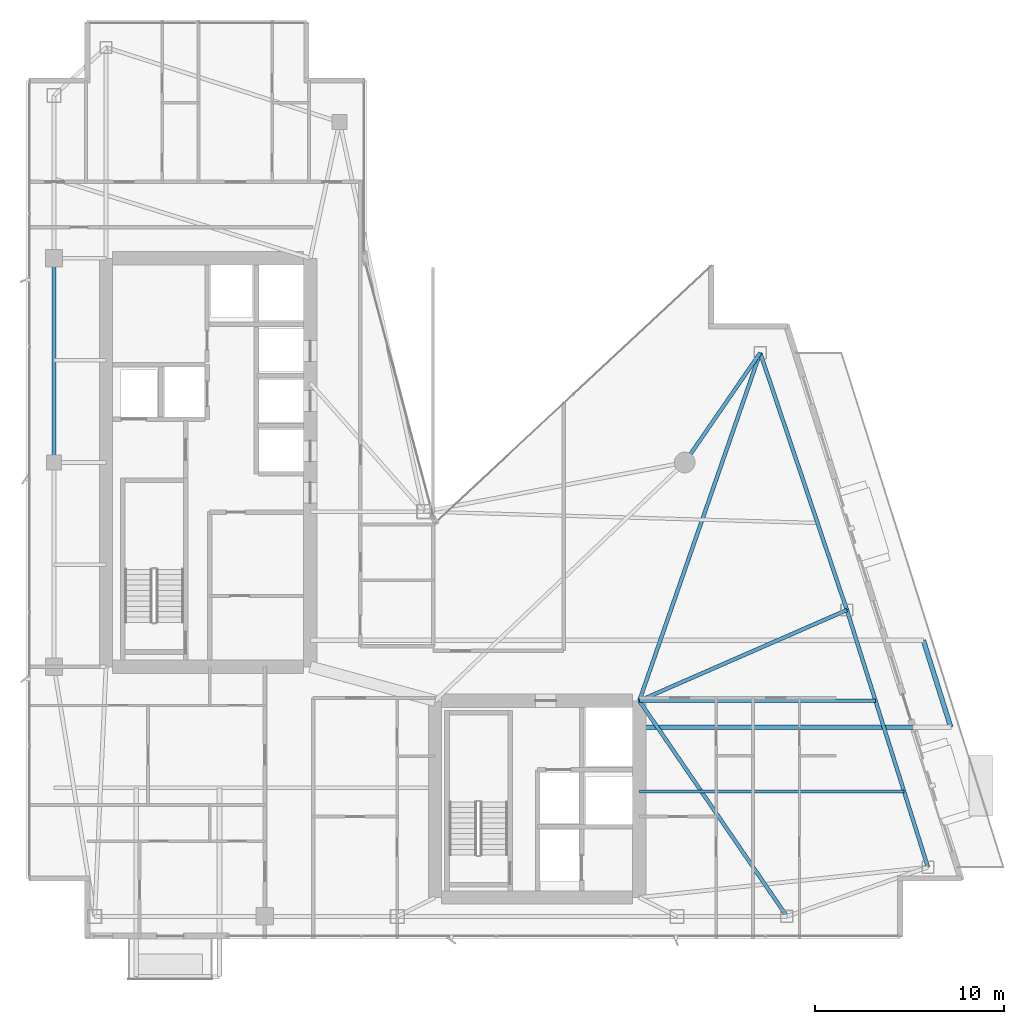
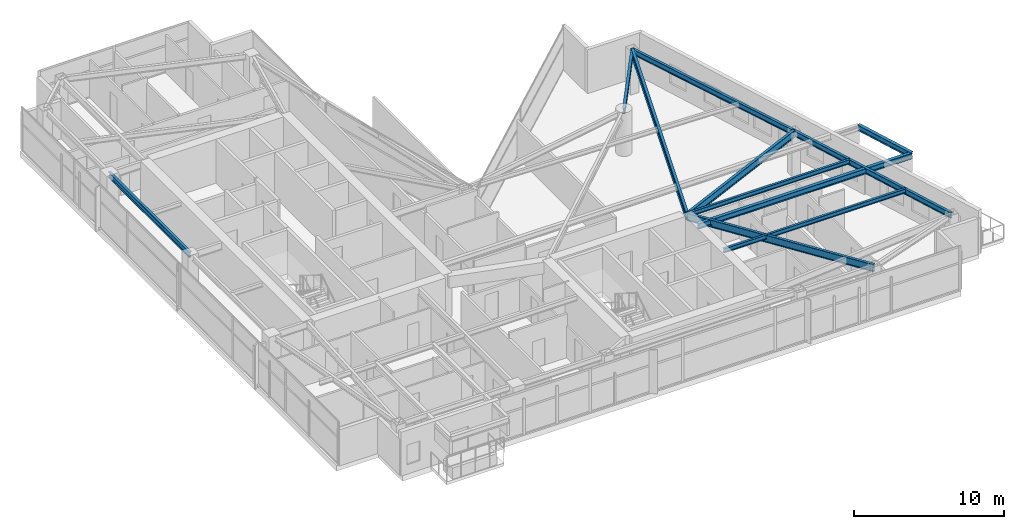
# One storey, part 14 of 28: 11 beams.
"""IFC4 building model written with IfcOpenShell, lengths in metres."""

import ifcopenshell
import ifcopenshell.guid

model = None  # the IFC model being written
_history = None  # IfcOwnerHistory: only IFC2X3 demands one
_inside = {}  # id of a spatial element -> (the spatial element, [elements in it])
_under = {}  # id of a project, library or spatial element -> (it, [spatial elements below it])
_declared = {}  # id of a project -> (the project, [libraries it declares])
_typed = {}  # id of a type object -> (the type object, [elements of that type])
_made_of = {}  # id of a material, layer set ... -> (it, [elements and type objects made of it])


def new_model(schema):
    """Start an empty IFC model of exactly this schema.

    Asked for "IFC4X3", IfcOpenShell would pick the latest addendum, in which some entities
    have other attributes; the version numbers below select the first issue.
    IFC2X3 requires an IfcOwnerHistory on every rooted entity: one is made here for all.
    """
    global model, _history
    if schema == "IFC4X3":
        model = ifcopenshell.file(schema_version=(4, 3, 0, 0))
    else:
        model = ifcopenshell.file(schema=schema)
    _inside.clear()
    _under.clear()
    _declared.clear()
    _typed.clear()
    _made_of.clear()
    _history = None
    if model.schema == "IFC2X3":
        org = make("IfcOrganization", Name="unknown")
        user = make(
            "IfcPersonAndOrganization",
            ThePerson=make("IfcPerson", FamilyName="unknown"),
            TheOrganization=org,
        )
        app = make(
            "IfcApplication",
            ApplicationDeveloper=org,
            Version="unknown",
            ApplicationFullName="unknown",
            ApplicationIdentifier="unknown",
        )
        _history = make(
            "IfcOwnerHistory",
            OwningUser=user,
            OwningApplication=app,
            ChangeAction="ADDED",
            CreationDate=0,
        )
    return model


def make(cls, **values):
    """One entity of the class cls with the attributes given. An attribute that is None is left unset."""
    return model.create_entity(
        cls, **{name: value for name, value in values.items() if value is not None}
    )


def rooted(cls, **values):
    """An entity with a GlobalId (a new one), such as an element, a storey or a relation."""
    return make(cls, GlobalId=ifcopenshell.guid.new(), OwnerHistory=_history, **values)


def si_unit(unit_type, name, prefix=None):
    """IfcSIUnit, for example si_unit("LENGTHUNIT", "METRE", prefix="MILLI")."""
    return make("IfcSIUnit", UnitType=unit_type, Prefix=prefix, Name=name)


def assignment(units):
    """IfcUnitAssignment: the units of a project."""
    return None if units is None else make("IfcUnitAssignment", Units=units)


def point(xyz):
    """IfcCartesianPoint."""
    return None if xyz is None else make("IfcCartesianPoint", Coordinates=xyz)


def direction(xyz):
    """IfcDirection."""
    return None if xyz is None else make("IfcDirection", DirectionRatios=xyz)


def frame(location, z_axis=None, x_axis=None):
    """IfcAxis2Placement3D, a coordinate frame: its origin and axes. An axis left out is left unset."""
    return make(
        "IfcAxis2Placement3D",
        Location=point(location),
        Axis=direction(z_axis),
        RefDirection=direction(x_axis),
    )


def frame_2d(location, x_axis=None):
    """IfcAxis2Placement2D, a coordinate frame in the plane: its origin and x axis."""
    return make(
        "IfcAxis2Placement2D", Location=point(location), RefDirection=direction(x_axis)
    )


def origin():
    """The frame at (0, 0, 0) with its axes left unset."""
    return frame((0.0, 0.0, 0.0))


def origin_2d():
    """The frame at (0, 0) in the plane with its x axis left unset."""
    return frame_2d((0.0, 0.0))


def place(relative_to, where):
    """IfcLocalPlacement: puts the frame where relative to a parent placement (None: the world)."""
    return make(
        "IfcLocalPlacement", PlacementRelTo=relative_to, RelativePlacement=where
    )


def context(
    kind, dimensions, precision=None, world=None, true_north=None, identifier=None
):
    """IfcGeometricRepresentationContext, for example the 3D "Model" context."""
    return make(
        "IfcGeometricRepresentationContext",
        ContextIdentifier=identifier,
        ContextType=kind,
        CoordinateSpaceDimension=dimensions,
        Precision=precision,
        WorldCoordinateSystem=world,
        TrueNorth=true_north,
    )


def subcontext(parent, identifier, kind, view, scale=None):
    """IfcGeometricRepresentationSubContext, for example "Body" below "Model"."""
    return make(
        "IfcGeometricRepresentationSubContext",
        ContextIdentifier=identifier,
        ContextType=kind,
        ParentContext=parent,
        TargetScale=scale,
        TargetView=view,
    )


def project(units=None, contexts=None):
    """IfcProject with its units and contexts."""
    return rooted(
        "IfcProject",
        Name="project",
        RepresentationContexts=contexts,
        UnitsInContext=assignment(units),
    )


def spatial(cls, under=None, at=None, **own):
    """A site, building, storey or space (cls), placed at a placement, below another one or the project."""
    s = rooted(cls, ObjectPlacement=at, **own)
    if under is not None:
        _under.setdefault(under.id(), (under, []))[1].append(s)
    return s


def profile(cls, at=None, kind="AREA", **sizes):
    """A parametric profile (cls). Its sizes go by their IFC names, for example OverallWidth=200.0."""
    return make(cls, ProfileType=kind, Position=at, **sizes)


def i_section(**sizes):
    """IfcIShapeProfileDef."""
    return profile("IfcIShapeProfileDef", **sizes)


def extrude(swept, where, along, depth):
    """IfcExtrudedAreaSolid: the profile swept, set in the frame where, extruded along a direction by depth."""
    return make(
        "IfcExtrudedAreaSolid",
        SweptArea=swept,
        Position=where,
        ExtrudedDirection=direction(along),
        Depth=depth,
    )


def shape(context_of_items, identifier, shape_type, items):
    """IfcShapeRepresentation: the items that make up one representation, for example the "Body"."""
    return make(
        "IfcShapeRepresentation",
        ContextOfItems=context_of_items,
        RepresentationIdentifier=identifier,
        RepresentationType=shape_type,
        Items=items,
    )


def material(Name=None, Category=None):
    """IfcMaterial."""
    return make("IfcMaterial", Name=Name, Category=Category)


def material_profile(
    of_material, cross_section, Name=None, Category=None, Priority=None
):
    """IfcMaterialProfile: a cross section and its material."""
    return make(
        "IfcMaterialProfile",
        Name=Name,
        Material=of_material,
        Profile=cross_section,
        Priority=Priority,
        Category=Category,
    )


def profile_set(profiles, Name=None, composite=None):
    """IfcMaterialProfileSet."""
    return make(
        "IfcMaterialProfileSet",
        Name=Name,
        MaterialProfiles=profiles,
        CompositeProfile=composite,
    )


def made_of(thing, what):
    """Note that an element or type object is made of a material, layer set ...; save() writes the relation."""
    if what is not None:
        _made_of.setdefault(what.id(), (what, []))[1].append(thing)
    return thing


def type_object(cls, material=None, **own):
    """A type object (cls), such as IfcWallType, which elements share."""
    return made_of(rooted(cls, **own), material)


def element(
    cls,
    number,
    at=None,
    inside=None,
    cuts=None,
    type_object=None,
    material=None,
    context=None,
    identifier="Body",
    shape_type=None,
    held_by="IfcProductDefinitionShape",
    body=None,
    shapes=None,
    **own,
):
    """One element of the class cls, such as IfcWall. Its Tag is "e" and its number.

    at: its placement. inside: the storey or other place that contains it. cuts: it is an
    opening in that element (IfcRelVoidsElement). A single representation is given by context,
    identifier, shape_type and body (its items); several are given by shapes. held_by: the class
    of the entity that holds the representations. save() writes the other relations.
    """
    e = rooted(cls, Tag="e%d" % number, ObjectPlacement=at, **own)
    if body is not None:
        shapes = [shape(context, identifier, shape_type, body)]
    if shapes is not None:
        e.Representation = make(held_by, Representations=shapes)
    if inside is not None:
        _inside.setdefault(inside.id(), (inside, []))[1].append(e)
    if cuts is not None:
        rooted(
            "IfcRelVoidsElement", RelatingBuildingElement=cuts, RelatedOpeningElement=e
        )
    if type_object is not None:
        _typed.setdefault(type_object.id(), (type_object, []))[1].append(e)
    return made_of(e, material)


def aggregate(whole, parts):
    """IfcRelAggregates: a whole, such as a stair, and the parts it consists of."""
    return rooted("IfcRelAggregates", RelatingObject=whole, RelatedObjects=parts)


def save(model, path):
    """Write the relations noted so far, then the file.

    IfcRelAggregates (storeys below a building ...), IfcRelContainedInSpatialStructure (elements
    in a storey), IfcRelDefinesByType, IfcRelAssociatesMaterial and IfcRelDeclares: one each for
    every whole, place, type object, material and project.
    """
    for whole, parts in _under.values():
        aggregate(whole, parts)
    for where, things in _inside.values():
        rooted(
            "IfcRelContainedInSpatialStructure",
            RelatedElements=things,
            RelatingStructure=where,
        )
    for kind, things in _typed.values():
        rooted("IfcRelDefinesByType", RelatedObjects=things, RelatingType=kind)
    for what, things in _made_of.values():
        rooted("IfcRelAssociatesMaterial", RelatedObjects=things, RelatingMaterial=what)
    for by, libraries in _declared.values():
        rooted("IfcRelDeclares", RelatingContext=by, RelatedDefinitions=libraries)
    model.write(path)


model = new_model("IFC4")

# Units and contexts
model_context = context("Model", 3, precision=1e-05, world=origin(), true_north=direction((0.0, 1.0)))
body_context = subcontext(model_context, "Body", "Model", "MODEL_VIEW")
ifc_project = project(units=[si_unit("LENGTHUNIT", "METRE"), si_unit("AREAUNIT", "SQUARE_METRE"), si_unit("VOLUMEUNIT", "CUBIC_METRE"), si_unit("PLANEANGLEUNIT", "RADIAN"), si_unit("MASSUNIT", "GRAM", prefix="KILO")], contexts=[model_context])

# Site, building, storey
site_placement = place(None, origin())
site = spatial("IfcSite", under=ifc_project, at=site_placement, CompositionType="ELEMENT")
building_placement = place(site_placement, origin())
building = spatial("IfcBuilding", under=site, at=building_placement, Name="Calvorn Quay Hotel", CompositionType="ELEMENT")
storey_placement = place(building_placement, frame((0.0, 0.0, 219.300048828125)))
storey = spatial("IfcBuildingStorey", under=building, at=storey_placement, Name="L54", CompositionType="ELEMENT", Elevation=219.300048828125)

# Beams
ifc_material_1 = material(Name="Steel Q355B", Category="steel")
ifc_material_profile_1 = material_profile(ifc_material_1, i_section(OverallWidth=0.25, OverallDepth=0.449951171875, WebThickness=0.011962890625, FlangeThickness=0.01611328125, FilletRadius=0.01611328125, at=origin_2d()), Name="HN450x250x12x16")
ifc_profile_set_1 = profile_set([ifc_material_profile_1], Name="Steel Q355B")
beam_type_1 = type_object("IfcBeamType", Name="BM-CANT-BALC", PredefinedType="BEAM", material=ifc_profile_set_1)
beam_1_placement = place(storey_placement, frame((32.39990234375, 13.60009765625, 3.31494140625), z_axis=(1.0, 0.0, 0.0), x_axis=(0.0, 1.0, 0.0)))
element("IfcBeam", 1, at=beam_1_placement, inside=storey, type_object=beam_type_1, Name="Cantilever Balcony Beam BCB-L55-1A", PredefinedType="BEAM", context=body_context, shape_type="SweptSolid", body=[
    extrude(i_section(OverallWidth=0.25, OverallDepth=0.449951171875, WebThickness=0.011962890625, FlangeThickness=0.01611328125, FilletRadius=0.01611328125, at=origin_2d()), origin(), (0.0, 0.0, 1.0), 16.468994140625),
])
beam_2_placement = place(storey_placement, frame((48.868896484375, 13.60009765625, 3.31494140625), z_axis=(-0.300450487966, 0.953797412599, 0.0), x_axis=(-0.953797412599, -0.300450487966, 0.0)))
element("IfcBeam", 2, at=beam_2_placement, inside=storey, type_object=beam_type_1, Name="Beam BCBO-L55-1", PredefinedType="BEAM", context=body_context, shape_type="SweptSolid", body=[
    extrude(i_section(OverallWidth=0.25, OverallDepth=0.449951171875, WebThickness=0.011962890625, FlangeThickness=0.01611328125, FilletRadius=0.01611328125, at=origin_2d()), origin(), (0.0, 0.0, 1.0), 4.82275390625),
])
ifc_material_2 = material(Name="Steel Q355B", Category="steel")
ifc_material_profile_2 = material_profile(ifc_material_2, i_section(OverallWidth=0.199951171875, OverallDepth=0.60009765625, WebThickness=0.010986328125, FlangeThickness=0.01708984375, FilletRadius=0.01806640625, at=origin_2d()), Name="HN600x200x11x17")
ifc_profile_set_2 = profile_set([ifc_material_profile_2], Name="Steel Q355B")
beam_type_2 = type_object("IfcBeamType", Name="BM-GIRD-TYP", PredefinedType="BEAM", material=ifc_profile_set_2)
beam_3_placement = place(storey_placement, frame((32.39990234375, 15.0, 3.239990234375), z_axis=(0.916218128543, 0.40067984842, 0.0), x_axis=(-0.40067984842, 0.916218128543, 0.0)))
element("IfcBeam", 3, at=beam_3_placement, inside=storey, type_object=beam_type_2, Name="Beam BG-L54-E2", PredefinedType="BEAM", context=body_context, shape_type="SweptSolid", body=[
    extrude(i_section(OverallWidth=0.199951171875, OverallDepth=0.60009765625, WebThickness=0.010986328125, FlangeThickness=0.01708984375, FilletRadius=0.01806640625, at=origin_2d()), origin(), (0.0, 0.0, 1.0), 11.979736328125),
])
beam_4_placement = place(storey_placement, frame((32.39990234375, 15.0, 3.239990234375), z_axis=(0.328115152411, 0.94463773308, 0.0), x_axis=(-0.94463773308, 0.328115152411, 0.0)))
element("IfcBeam", 4, at=beam_4_placement, inside=storey, type_object=beam_type_2, Name="Beam BG-L54-E3", PredefinedType="BEAM", context=body_context, shape_type="SweptSolid", body=[
    extrude(i_section(OverallWidth=0.199951171875, OverallDepth=0.60009765625, WebThickness=0.010986328125, FlangeThickness=0.01708984375, FilletRadius=0.01806640625, at=origin_2d()), origin(), (0.0, 0.0, 1.0), 19.478271484375),
])
beam_5_placement = place(storey_placement, frame((40.199951171875, 3.60009765625, 3.239990234375), z_axis=(-0.564689618177, 0.825303359452, 0.0), x_axis=(-0.825303359452, -0.564689618177, 0.0)))
element("IfcBeam", 5, at=beam_5_placement, inside=storey, type_object=beam_type_2, Name="Beam BG-L54-E6", PredefinedType="BEAM", context=body_context, shape_type="SweptSolid", body=[
    extrude(i_section(OverallWidth=0.199951171875, OverallDepth=0.60009765625, WebThickness=0.010986328125, FlangeThickness=0.01708984375, FilletRadius=0.01806640625, at=origin_2d()), origin(), (0.0, 0.0, 1.0), 13.81298828125),
])
ifc_material_3 = material(Name="Steel Q355B", Category="steel")
ifc_material_profile_3 = material_profile(ifc_material_3, i_section(OverallWidth=0.175048828125, OverallDepth=0.35009765625, WebThickness=0.007080078125, FlangeThickness=0.010986328125, FilletRadius=0.013916015625, at=origin_2d()), Name="HN350x175x7x11")
ifc_profile_set_3 = profile_set([ifc_material_profile_3], Name="Steel Q355B")
beam_type_3 = type_object("IfcBeamType", Name="BM-JOIST-SEC", PredefinedType="JOIST", material=ifc_profile_set_3)
beam_6_placement = place(storey_placement, frame((32.39990234375, 10.199951171875, 3.364990234375), z_axis=(1.0, 0.0, 0.0), x_axis=(0.0, 1.0, 0.0)))
element("IfcBeam", 6, at=beam_6_placement, inside=storey, type_object=beam_type_3, Name="Beam BJ-L54-E1", PredefinedType="JOIST", context=body_context, shape_type="SweptSolid", body=[
    extrude(i_section(OverallWidth=0.175048828125, OverallDepth=0.35009765625, WebThickness=0.007080078125, FlangeThickness=0.010986328125, FilletRadius=0.013916015625, at=origin_2d()), origin(), (0.0, 0.0, 1.0), 14.0009765625),
])
beam_7_placement = place(storey_placement, frame((32.39990234375, 15.0, 3.364990234375), z_axis=(1.0, 0.0, 0.0), x_axis=(0.0, 1.0, 0.0)))
element("IfcBeam", 7, at=beam_7_placement, inside=storey, type_object=beam_type_3, Name="Beam BJ-L54-E2", PredefinedType="JOIST", context=body_context, shape_type="SweptSolid", body=[
    extrude(i_section(OverallWidth=0.175048828125, OverallDepth=0.35009765625, WebThickness=0.007080078125, FlangeThickness=0.010986328125, FilletRadius=0.013916015625, at=origin_2d()), origin(), (0.0, 0.0, 1.0), 12.488037109375),
])
ifc_material_4 = material(Name="Steel Q355B", Category="steel")
ifc_material_profile_4 = material_profile(ifc_material_4, i_section(OverallWidth=0.199951171875, OverallDepth=0.449951171875, WebThickness=0.009033203125, FlangeThickness=0.013916015625, FilletRadius=0.01611328125, at=origin_2d()), Name="HN450x200x9x14")
ifc_profile_set_4 = profile_set([ifc_material_profile_4], Name="Steel Q355B")
beam_type_4 = type_object("IfcBeamType", Name="BM-SPANDREL-Z3", PredefinedType="SPANDREL", material=ifc_profile_set_4)
beam_8_placement = place(storey_placement, frame((1.449951171875, 27.60009765625, 3.31494140625), z_axis=(0.0, 1.0, 0.0), x_axis=(-1.0, 0.0, 0.0)))
element("IfcBeam", 8, at=beam_8_placement, inside=storey, type_object=beam_type_4, Name="Beam BSP-L54-W3", PredefinedType="SPANDREL", context=body_context, shape_type="SweptSolid", body=[
    extrude(i_section(OverallWidth=0.199951171875, OverallDepth=0.449951171875, WebThickness=0.009033203125, FlangeThickness=0.013916015625, FilletRadius=0.01611328125, at=origin_2d()), origin(), (0.0, 0.0, 1.0), 10.7998046875),
])
beam_9_placement = place(storey_placement, frame((47.660888671875, 6.199951171875, 3.31494140625), z_axis=(-0.300502802767, 0.953780931624, 0.0), x_axis=(-0.953780931624, -0.300502802767, 0.0)))
element("IfcBeam", 9, at=beam_9_placement, inside=storey, type_object=beam_type_4, Name="Beam BSP-L54-E1", PredefinedType="SPANDREL", context=body_context, shape_type="SweptSolid", body=[
    extrude(i_section(OverallWidth=0.199951171875, OverallDepth=0.449951171875, WebThickness=0.009033203125, FlangeThickness=0.013916015625, FilletRadius=0.01611328125, at=origin_2d()), origin(), (0.0, 0.0, 1.0), 14.259033203125),
])
beam_10_placement = place(storey_placement, frame((43.3759765625, 19.800048828125, 3.31494140625), z_axis=(-0.319466515944, 0.947597564998, 0.0), x_axis=(-0.947597564998, -0.319466515944, 0.0)))
element("IfcBeam", 10, at=beam_10_placement, inside=storey, type_object=beam_type_4, Name="Beam BSP-L54-E2", PredefinedType="SPANDREL", context=body_context, shape_type="SweptSolid", body=[
    extrude(i_section(OverallWidth=0.199951171875, OverallDepth=0.449951171875, WebThickness=0.009033203125, FlangeThickness=0.013916015625, FilletRadius=0.01611328125, at=origin_2d()), origin(), (0.0, 0.0, 1.0), 14.35205078125),
])
beam_11_placement = place(storey_placement, frame((38.791015625, 33.39990234375, 3.31494140625), z_axis=(-0.566876101303, -0.823803062492, 0.0), x_axis=(0.823803062492, -0.566876101303, 0.0)))
element("IfcBeam", 11, at=beam_11_placement, inside=storey, type_object=beam_type_4, Name="Beam BSP-L54-E3", PredefinedType="SPANDREL", context=body_context, shape_type="SweptSolid", body=[
    extrude(i_section(OverallWidth=0.199951171875, OverallDepth=0.449951171875, WebThickness=0.009033203125, FlangeThickness=0.013916015625, FilletRadius=0.01611328125, at=origin_2d()), origin(), (0.0, 0.0, 1.0), 7.040283203125),
])

save(model, "model.ifc")
